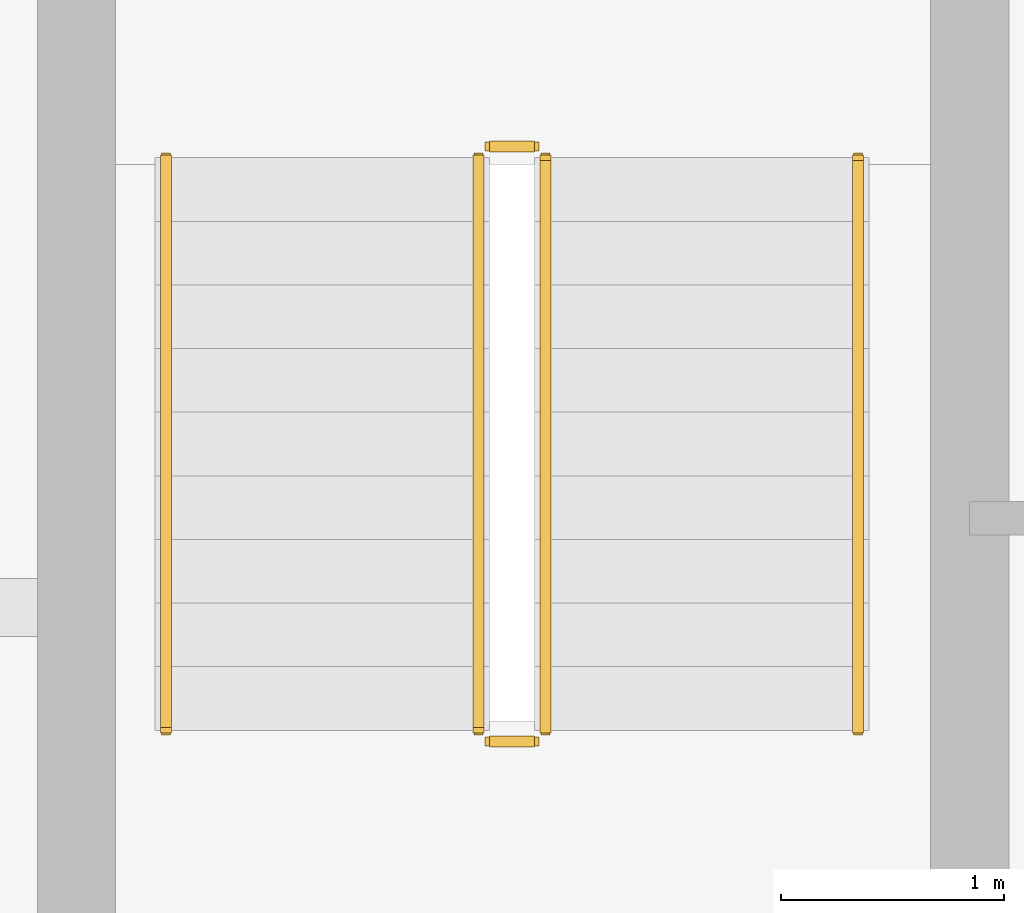
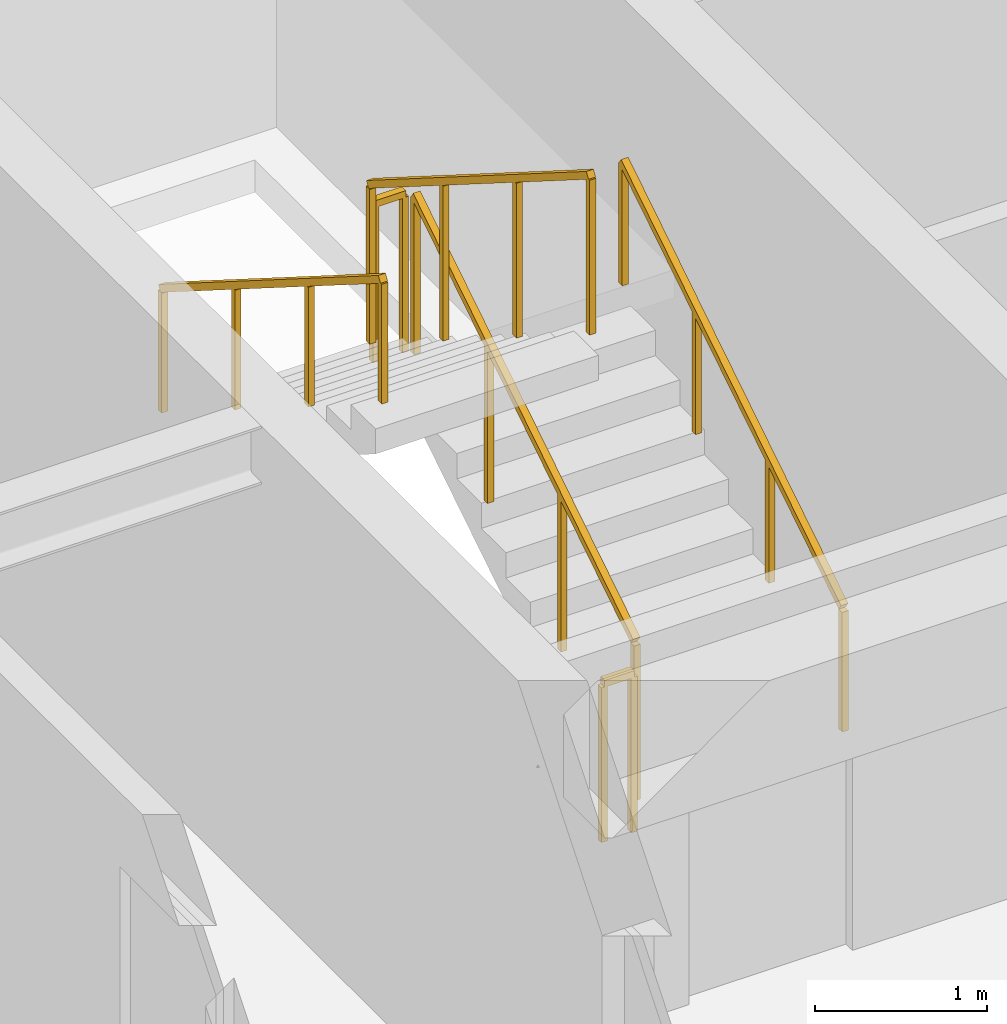
# One storey, part 20 of 22: 6 railings.
"""IFC4 building model written with IfcOpenShell, lengths in metres."""

from ifc_helpers import new_model, si_unit, direction, frame, origin, origin_2d, place, context, subcontext, project, spatial, rectangle, extrude, material, type_object, element, save


model = new_model("IFC4")

# Units and contexts
model_context = context("Model", 3, precision=1e-05, world=origin(), true_north=direction((0.0, 1.0)))
body_context = subcontext(model_context, "Body", "Model", "MODEL_VIEW")
ifc_project = project(units=[si_unit("LENGTHUNIT", "METRE"), si_unit("AREAUNIT", "SQUARE_METRE"), si_unit("VOLUMEUNIT", "CUBIC_METRE"), si_unit("PLANEANGLEUNIT", "RADIAN"), si_unit("MASSUNIT", "GRAM", prefix="KILO")], contexts=[model_context])

# Site, building, storey
site_placement = place(None, origin())
site = spatial("IfcSite", under=ifc_project, at=site_placement, CompositionType="ELEMENT")
building_placement = place(site_placement, origin())
building = spatial("IfcBuilding", under=site, at=building_placement, Name="Sarneth Arch Tower", CompositionType="ELEMENT")
storey_placement = place(building_placement, frame((0.0, 0.0, 294.60009765625)))
storey = spatial("IfcBuildingStorey", under=building, at=storey_placement, Name="L76", CompositionType="ELEMENT", Elevation=294.60009765625)

# Railings
ifc_material_1 = material(Name="Brushed Stainless Steel 304 tubular handrail", Category="steel")
railing_type_1 = type_object("IfcRailingType", Name="RAIL-HANDRAIL-900", PredefinedType="HANDRAIL", material=ifc_material_1)
railing_1_placement = place(storey_placement, frame((40.5, 41.449951171875, 0.179931640625)))
element("IfcRailing", 1, at=railing_1_placement, inside=storey, type_object=railing_type_1, Name="L76 ST-1 stair handrail 1", PredefinedType="HANDRAIL", context=body_context, shape_type="SweptSolid", body=[
    extrude(rectangle(XDim=0.048095703125, YDim=0.048095703125, at=origin_2d()), frame((0.0, 0.0, 0.8759765625), z_axis=(0.0, 0.845502289212, 0.533971796014), x_axis=(-1.0, 0.0, 0.0)), (0.0, 0.0, 1.0), 3.03369140625),
    extrude(rectangle(XDim=0.0419921875, YDim=0.0419921875, at=origin_2d()), origin(), (0.0, 0.0, 1.0), 0.851806640625),
    extrude(rectangle(XDim=0.0419921875, YDim=0.0419921875, at=origin_2d()), frame((0.0, 0.85498046875, 0.5400390625)), (0.0, 0.0, 1.0), 0.851806640625),
    extrude(rectangle(XDim=0.0419921875, YDim=0.0419921875, at=origin_2d()), frame((0.0, 1.7099609375, 1.079833984375)), (0.0, 0.0, 1.0), 0.851806640625),
    extrude(rectangle(XDim=0.0419921875, YDim=0.0419921875, at=origin_2d()), frame((0.0, 2.56494140625, 1.619873046875)), (0.0, 0.0, 1.0), 0.851806640625),
])
railing_2_placement = place(storey_placement, frame((37.39990234375, 44.014892578125, 1.97998046875)))
element("IfcRailing", 2, at=railing_2_placement, inside=storey, type_object=railing_type_1, Name="L76 ST-1 stair handrail 2", PredefinedType="HANDRAIL", context=body_context, shape_type="SweptSolid", body=[
    extrude(rectangle(XDim=0.048095703125, YDim=0.048095703125, at=origin_2d()), frame((0.0, 0.0, 0.8759765625), z_axis=(0.0, -0.845502289212, 0.533971796014), x_axis=(1.0, 0.0, 0.0)), (0.0, 0.0, 1.0), 3.03369140625),
    extrude(rectangle(XDim=0.0419921875, YDim=0.0419921875, at=origin_2d()), origin(), (0.0, 0.0, 1.0), 0.851806640625),
    extrude(rectangle(XDim=0.0419921875, YDim=0.0419921875, at=origin_2d()), frame((0.0, -0.85498046875, 0.5400390625)), (0.0, 0.0, 1.0), 0.851806640625),
    extrude(rectangle(XDim=0.0419921875, YDim=0.0419921875, at=origin_2d()), frame((0.0, -1.7099609375, 1.079833984375)), (0.0, 0.0, 1.0), 0.851806640625),
    extrude(rectangle(XDim=0.0419921875, YDim=0.0419921875, at=origin_2d()), frame((0.0, -2.56494140625, 1.619873046875)), (0.0, 0.0, 1.0), 0.851806640625),
])
ifc_material_2 = material(Name="Painted Steel S275 stair well guard", Category="steel")
railing_type_2 = type_object("IfcRailingType", Name="RAIL-STAIR-GUARD", PredefinedType="GUARDRAIL", material=ifc_material_2)
railing_3_placement = place(storey_placement, frame((39.10009765625, 41.449951171875, 0.179931640625)))
element("IfcRailing", 3, at=railing_3_placement, inside=storey, type_object=railing_type_2, Name="L76 ST-1 stair guard 1", PredefinedType="GUARDRAIL", context=body_context, shape_type="SweptSolid", body=[
    extrude(rectangle(XDim=0.048095703125, YDim=0.048095703125, at=origin_2d()), frame((0.0, 0.0, 1.1259765625), z_axis=(0.0, 0.845502289212, 0.533971796014), x_axis=(-1.0, 0.0, 0.0)), (0.0, 0.0, 1.0), 3.03369140625),
    extrude(rectangle(XDim=0.0419921875, YDim=0.0419921875, at=origin_2d()), origin(), (0.0, 0.0, 1.0), 1.101806640625),
    extrude(rectangle(XDim=0.0419921875, YDim=0.0419921875, at=origin_2d()), frame((0.0, 0.85498046875, 0.5400390625)), (0.0, 0.0, 1.0), 1.101806640625),
    extrude(rectangle(XDim=0.0419921875, YDim=0.0419921875, at=origin_2d()), frame((0.0, 1.7099609375, 1.079833984375)), (0.0, 0.0, 1.0), 1.101806640625),
    extrude(rectangle(XDim=0.0419921875, YDim=0.0419921875, at=origin_2d()), frame((0.0, 2.56494140625, 1.619873046875)), (0.0, 0.0, 1.0), 1.101806640625),
])
railing_4_placement = place(storey_placement, frame((39.050048828125, 44.06494140625, 1.7998046875)))
element("IfcRailing", 4, at=railing_4_placement, inside=storey, type_object=railing_type_2, Name="L76 ST-1 stair guard 2", PredefinedType="GUARDRAIL", context=body_context, shape_type="SweptSolid", body=[
    extrude(rectangle(XDim=0.048095703125, YDim=0.048095703125, at=origin_2d()), frame((0.0, 0.0, 1.1259765625), z_axis=(-1.0, 0.0, 0.0), x_axis=(0.0, -1.0, 0.0)), (0.0, 0.0, 1.0), 0.199951171875),
    extrude(rectangle(XDim=0.0419921875, YDim=0.0419921875, at=origin_2d()), origin(), (0.0, 0.0, 1.0), 1.101806640625),
    extrude(rectangle(XDim=0.0419921875, YDim=0.0419921875, at=origin_2d()), frame((-0.199951171875, 0.0, 0.0)), (0.0, 0.0, 1.0), 1.101806640625),
])
railing_5_placement = place(storey_placement, frame((38.800048828125, 44.014892578125, 1.97998046875)))
element("IfcRailing", 5, at=railing_5_placement, inside=storey, type_object=railing_type_2, Name="L76 ST-1 stair guard 3", PredefinedType="GUARDRAIL", context=body_context, shape_type="SweptSolid", body=[
    extrude(rectangle(XDim=0.048095703125, YDim=0.048095703125, at=origin_2d()), frame((0.0, 0.0, 1.1259765625), z_axis=(0.0, -0.845502289212, 0.533971796014), x_axis=(1.0, 0.0, 0.0)), (0.0, 0.0, 1.0), 3.03369140625),
    extrude(rectangle(XDim=0.0419921875, YDim=0.0419921875, at=origin_2d()), origin(), (0.0, 0.0, 1.0), 1.101806640625),
    extrude(rectangle(XDim=0.0419921875, YDim=0.0419921875, at=origin_2d()), frame((0.0, -0.85498046875, 0.5400390625)), (0.0, 0.0, 1.0), 1.101806640625),
    extrude(rectangle(XDim=0.0419921875, YDim=0.0419921875, at=origin_2d()), frame((0.0, -1.7099609375, 1.079833984375)), (0.0, 0.0, 1.0), 1.101806640625),
    extrude(rectangle(XDim=0.0419921875, YDim=0.0419921875, at=origin_2d()), frame((0.0, -2.56494140625, 1.619873046875)), (0.0, 0.0, 1.0), 1.101806640625),
])
railing_6_placement = place(storey_placement, frame((39.050048828125, 41.39990234375, 0.0)))
element("IfcRailing", 6, at=railing_6_placement, inside=storey, type_object=railing_type_2, Name="L76 ST-1 stair guard 4", PredefinedType="GUARDRAIL", context=body_context, shape_type="SweptSolid", body=[
    extrude(rectangle(XDim=0.048095703125, YDim=0.048095703125, at=origin_2d()), frame((0.0, 0.0, 1.1259765625), z_axis=(-1.0, 0.0, 0.0), x_axis=(0.0, -1.0, 0.0)), (0.0, 0.0, 1.0), 0.199951171875),
    extrude(rectangle(XDim=0.0419921875, YDim=0.0419921875, at=origin_2d()), origin(), (0.0, 0.0, 1.0), 1.101806640625),
    extrude(rectangle(XDim=0.0419921875, YDim=0.0419921875, at=origin_2d()), frame((-0.199951171875, 0.0, 0.0)), (0.0, 0.0, 1.0), 1.101806640625),
])

save(model, "model.ifc")
